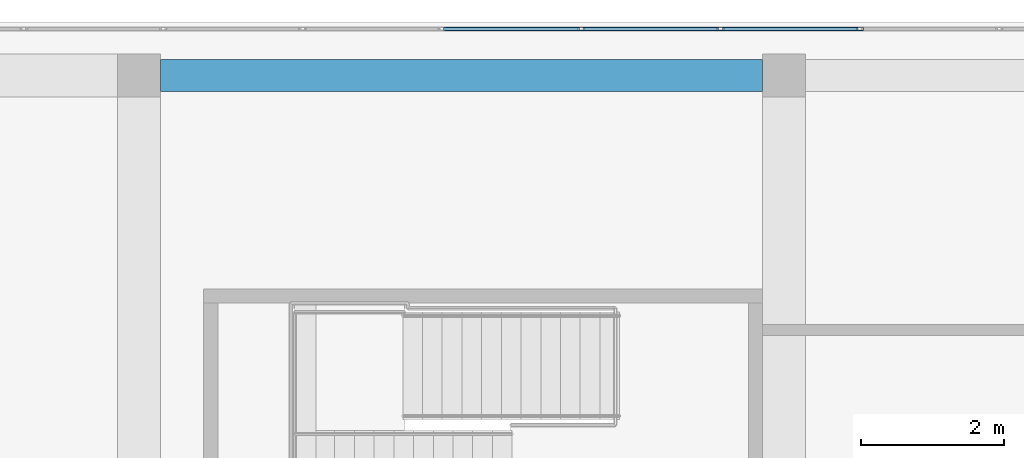
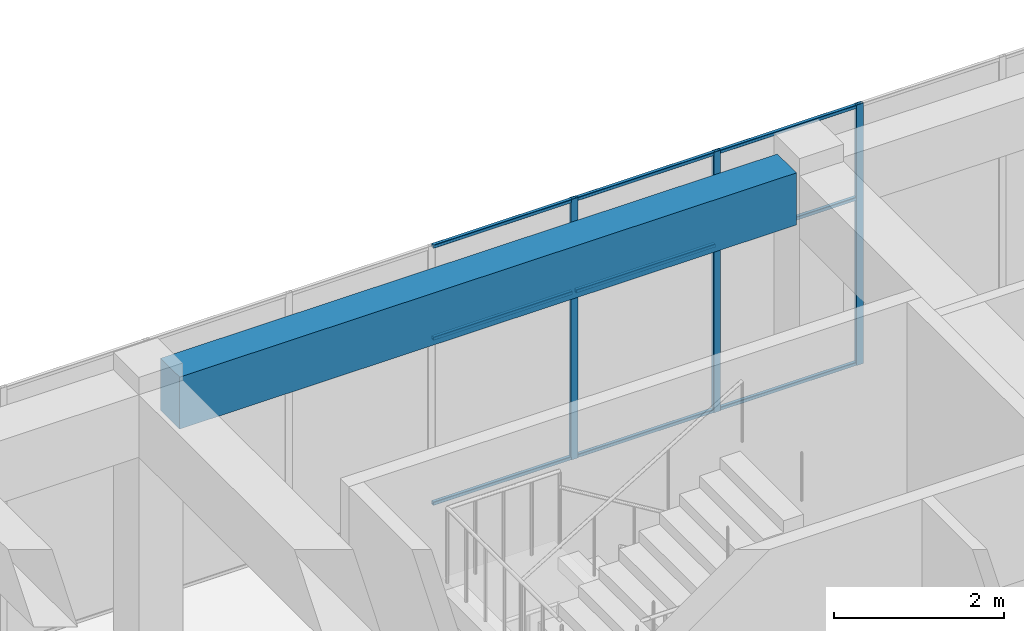
# One storey, part 23 of 35: 12 members, 1 beam, 1 element without a shape of its own.
"""IFC4 building model written with IfcOpenShell, lengths in metres."""

from ifc_helpers import new_model, si_unit, direction, frame, origin, origin_2d, place, context, subcontext, project, spatial, rectangle, hollow_rectangle, extrude, material, layer, layer_set, material_profile, profile_set, type_object, element, aggregate, save


model = new_model("IFC4")

# Units and contexts
model_context = context("Model", 3, precision=1e-05, world=origin(), true_north=direction((0.0, 1.0)))
body_context = subcontext(model_context, "Body", "Model", "MODEL_VIEW")
ifc_project = project(units=[si_unit("LENGTHUNIT", "METRE"), si_unit("AREAUNIT", "SQUARE_METRE"), si_unit("VOLUMEUNIT", "CUBIC_METRE"), si_unit("PLANEANGLEUNIT", "RADIAN"), si_unit("MASSUNIT", "GRAM", prefix="KILO")], contexts=[model_context])

# Site, building, storey
site_placement = place(None, origin())
site = spatial("IfcSite", under=ifc_project, at=site_placement, CompositionType="ELEMENT")
building_placement = place(site_placement, origin())
building = spatial("IfcBuilding", under=site, at=building_placement, Name="Tuart Plaza Theatre", CompositionType="ELEMENT")
storey_placement = place(building_placement, frame((0.0, 0.0, 45.5)))
storey = spatial("IfcBuildingStorey", under=building, at=storey_placement, Name="L11", CompositionType="ELEMENT", Elevation=45.5)

# Beam
ifc_material_1 = material(Name="Concrete N40 (40 MPa)", Category="concrete")
ifc_material_profile_1 = material_profile(ifc_material_1, rectangle(XDim=0.449951171875, YDim=0.75, at=origin_2d()), Name="BEAM 450x750 Concrete N40 (40 MPa)")
ifc_profile_set_1 = profile_set([ifc_material_profile_1], Name="Concrete N40 (40 MPa)")
beam_type = type_object("IfcBeamType", Name="BEAM 450x750 Concrete N40 (40 MPa)", PredefinedType="BEAM", material=ifc_profile_set_1)
beam_placement = place(storey_placement, frame((114.300048828125, 92.0, 3.375), z_axis=(1.0, 0.0, 0.0), x_axis=(0.0, 1.0, 0.0)))
element("IfcBeam", 1, at=beam_placement, inside=storey, type_object=beam_type, Name="RB295", PredefinedType="BEAM", context=body_context, shape_type="SweptSolid", body=[
    extrude(rectangle(XDim=0.449951171875, YDim=0.75, at=origin_2d()), origin(), (0.0, 0.0, 1.0), 8.39990234375),
])

# Curtain wall, members
ifc_material_2 = material(Name="Aluminium and glass", Category="aluminium")
ifc_layer = layer(ifc_material_2, 0.10009765625)
ifc_layer_set = layer_set([ifc_layer], Name="CURTAIN WALL 2000 module")
curtain_wall_type = type_object("IfcCurtainWallType", Name="CURTAIN WALL 2000 module", PredefinedType="NOTDEFINED", material=ifc_layer_set)
curtain_wall_placement = place(storey_placement, origin())
curtain_wall = element("IfcCurtainWall", 2, at=curtain_wall_placement, inside=storey, type_object=curtain_wall_type, Name="CW105", PredefinedType="NOTDEFINED")
ifc_material_3 = material(Name="Aluminium 6063-T5", Category="aluminium")
ifc_material_profile_2 = material_profile(ifc_material_3, hollow_rectangle(XDim=0.050048828125, YDim=0.10009765625, WallThickness=0.00390625, InnerFilletRadius=0.00390625, OuterFilletRadius=0.008056640625, at=origin_2d()), Name="RHS 100x50x4")
ifc_profile_set_2 = profile_set([ifc_material_profile_2], Name="Aluminium 6063-T5")
member_type_1 = type_object("IfcMemberType", Name="MULLION RHS 100x50x4", PredefinedType="MULLION", material=ifc_profile_set_2)
member_1_placement = place(storey_placement, frame((124.05615234375, 92.64990234375, 0.0), z_axis=(0.0, 0.0, 1.0), x_axis=(0.0, -1.0, 0.0)))
member_1 = element("IfcMember", 3, at=member_1_placement, type_object=member_type_1, Name="CW105 mullion 10", PredefinedType="MULLION", context=body_context, shape_type="SweptSolid", body=[
    extrude(hollow_rectangle(XDim=0.050048828125, YDim=0.10009765625, WallThickness=0.00390625, InnerFilletRadius=0.00390625, OuterFilletRadius=0.008056640625, at=origin_2d()), origin(), (0.0, 0.0, 1.0), 3.75),
])
member_2_placement = place(storey_placement, frame((122.112548828125, 92.64990234375, 0.0), z_axis=(0.0, 0.0, 1.0), x_axis=(0.0, -1.0, 0.0)))
member_2 = element("IfcMember", 4, at=member_2_placement, type_object=member_type_1, Name="CW105 mullion 11", PredefinedType="MULLION", context=body_context, shape_type="SweptSolid", body=[
    extrude(hollow_rectangle(XDim=0.050048828125, YDim=0.10009765625, WallThickness=0.00390625, InnerFilletRadius=0.00390625, OuterFilletRadius=0.008056640625, at=origin_2d()), origin(), (0.0, 0.0, 1.0), 3.75),
])
member_3_placement = place(storey_placement, frame((120.168701171875, 92.64990234375, 0.0), z_axis=(0.0, 0.0, 1.0), x_axis=(0.0, -1.0, 0.0)))
member_3 = element("IfcMember", 5, at=member_3_placement, type_object=member_type_1, Name="CW105 mullion 12", PredefinedType="MULLION", context=body_context, shape_type="SweptSolid", body=[
    extrude(hollow_rectangle(XDim=0.050048828125, YDim=0.10009765625, WallThickness=0.00390625, InnerFilletRadius=0.00390625, OuterFilletRadius=0.008056640625, at=origin_2d()), origin(), (0.0, 0.0, 1.0), 3.75),
])
ifc_material_4 = material(Name="Aluminium 6063-T5", Category="aluminium")
ifc_material_profile_3 = material_profile(ifc_material_4, hollow_rectangle(XDim=0.050048828125, YDim=0.050048828125, WallThickness=0.00390625, InnerFilletRadius=0.00390625, OuterFilletRadius=0.008056640625, at=origin_2d()), Name="RHS 50x50x4")
ifc_profile_set_3 = profile_set([ifc_material_profile_3], Name="Aluminium 6063-T5")
member_type_2 = type_object("IfcMemberType", Name="TRANSOM RHS 50x50x4", PredefinedType="USERDEFINED", material=ifc_profile_set_3)
member_4_placement = place(storey_placement, frame((124.03125, 92.64990234375, 0.02490234375), z_axis=(-1.0, 0.0, 0.0), x_axis=(0.0, -1.0, 0.0)))
member_4 = element("IfcMember", 6, at=member_4_placement, type_object=member_type_2, Name="CW105 transom 10.1", ObjectType="TRANSOM", PredefinedType="USERDEFINED", context=body_context, shape_type="SweptSolid", body=[
    extrude(hollow_rectangle(XDim=0.050048828125, YDim=0.050048828125, WallThickness=0.00390625, InnerFilletRadius=0.00390625, OuterFilletRadius=0.008056640625, at=origin_2d()), origin(), (0.0, 0.0, 1.0), 1.893798828125),
])
member_5_placement = place(storey_placement, frame((124.03125, 92.64990234375, 2.39990234375), z_axis=(-1.0, 0.0, 0.0), x_axis=(0.0, -1.0, 0.0)))
member_5 = element("IfcMember", 7, at=member_5_placement, type_object=member_type_2, Name="CW105 transom 10.2", ObjectType="TRANSOM", PredefinedType="USERDEFINED", context=body_context, shape_type="SweptSolid", body=[
    extrude(hollow_rectangle(XDim=0.050048828125, YDim=0.050048828125, WallThickness=0.00390625, InnerFilletRadius=0.00390625, OuterFilletRadius=0.008056640625, at=origin_2d()), origin(), (0.0, 0.0, 1.0), 1.893798828125),
])
member_6_placement = place(storey_placement, frame((124.03125, 92.64990234375, 3.72509765625), z_axis=(-1.0, 0.0, 0.0), x_axis=(0.0, -1.0, 0.0)))
member_6 = element("IfcMember", 8, at=member_6_placement, type_object=member_type_2, Name="CW105 transom 10.3", ObjectType="TRANSOM", PredefinedType="USERDEFINED", context=body_context, shape_type="SweptSolid", body=[
    extrude(hollow_rectangle(XDim=0.050048828125, YDim=0.050048828125, WallThickness=0.00390625, InnerFilletRadius=0.00390625, OuterFilletRadius=0.008056640625, at=origin_2d()), origin(), (0.0, 0.0, 1.0), 1.893798828125),
])
member_7_placement = place(storey_placement, frame((122.08740234375, 92.64990234375, 0.02490234375), z_axis=(-1.0, 0.0, 0.0), x_axis=(0.0, -1.0, 0.0)))
member_7 = element("IfcMember", 9, at=member_7_placement, type_object=member_type_2, Name="CW105 transom 11.1", ObjectType="TRANSOM", PredefinedType="USERDEFINED", context=body_context, shape_type="SweptSolid", body=[
    extrude(hollow_rectangle(XDim=0.050048828125, YDim=0.050048828125, WallThickness=0.00390625, InnerFilletRadius=0.00390625, OuterFilletRadius=0.008056640625, at=origin_2d()), origin(), (0.0, 0.0, 1.0), 1.8935546875),
])
member_8_placement = place(storey_placement, frame((122.08740234375, 92.64990234375, 2.39990234375), z_axis=(-1.0, 0.0, 0.0), x_axis=(0.0, -1.0, 0.0)))
member_8 = element("IfcMember", 10, at=member_8_placement, type_object=member_type_2, Name="CW105 transom 11.2", ObjectType="TRANSOM", PredefinedType="USERDEFINED", context=body_context, shape_type="SweptSolid", body=[
    extrude(hollow_rectangle(XDim=0.050048828125, YDim=0.050048828125, WallThickness=0.00390625, InnerFilletRadius=0.00390625, OuterFilletRadius=0.008056640625, at=origin_2d()), origin(), (0.0, 0.0, 1.0), 1.8935546875),
])
member_9_placement = place(storey_placement, frame((122.08740234375, 92.64990234375, 3.72509765625), z_axis=(-1.0, 0.0, 0.0), x_axis=(0.0, -1.0, 0.0)))
member_9 = element("IfcMember", 11, at=member_9_placement, type_object=member_type_2, Name="CW105 transom 11.3", ObjectType="TRANSOM", PredefinedType="USERDEFINED", context=body_context, shape_type="SweptSolid", body=[
    extrude(hollow_rectangle(XDim=0.050048828125, YDim=0.050048828125, WallThickness=0.00390625, InnerFilletRadius=0.00390625, OuterFilletRadius=0.008056640625, at=origin_2d()), origin(), (0.0, 0.0, 1.0), 1.8935546875),
])
member_10_placement = place(storey_placement, frame((120.143798828125, 92.64990234375, 0.02490234375), z_axis=(-1.0, 0.0, 0.0), x_axis=(0.0, -1.0, 0.0)))
member_10 = element("IfcMember", 12, at=member_10_placement, type_object=member_type_2, Name="CW105 transom 12.1", ObjectType="TRANSOM", PredefinedType="USERDEFINED", context=body_context, shape_type="SweptSolid", body=[
    extrude(hollow_rectangle(XDim=0.050048828125, YDim=0.050048828125, WallThickness=0.00390625, InnerFilletRadius=0.00390625, OuterFilletRadius=0.008056640625, at=origin_2d()), origin(), (0.0, 0.0, 1.0), 1.893798828125),
])
member_11_placement = place(storey_placement, frame((120.143798828125, 92.64990234375, 2.39990234375), z_axis=(-1.0, 0.0, 0.0), x_axis=(0.0, -1.0, 0.0)))
member_11 = element("IfcMember", 13, at=member_11_placement, type_object=member_type_2, Name="CW105 transom 12.2", ObjectType="TRANSOM", PredefinedType="USERDEFINED", context=body_context, shape_type="SweptSolid", body=[
    extrude(hollow_rectangle(XDim=0.050048828125, YDim=0.050048828125, WallThickness=0.00390625, InnerFilletRadius=0.00390625, OuterFilletRadius=0.008056640625, at=origin_2d()), origin(), (0.0, 0.0, 1.0), 1.893798828125),
])
member_12_placement = place(storey_placement, frame((120.143798828125, 92.64990234375, 3.72509765625), z_axis=(-1.0, 0.0, 0.0), x_axis=(0.0, -1.0, 0.0)))
member_12 = element("IfcMember", 14, at=member_12_placement, type_object=member_type_2, Name="CW105 transom 12.3", ObjectType="TRANSOM", PredefinedType="USERDEFINED", context=body_context, shape_type="SweptSolid", body=[
    extrude(hollow_rectangle(XDim=0.050048828125, YDim=0.050048828125, WallThickness=0.00390625, InnerFilletRadius=0.00390625, OuterFilletRadius=0.008056640625, at=origin_2d()), origin(), (0.0, 0.0, 1.0), 1.893798828125),
])
aggregate(curtain_wall, [member_1, member_2, member_3, member_4, member_5, member_6, member_7, member_8, member_9, member_10, member_11, member_12])

save(model, "model.ifc")
